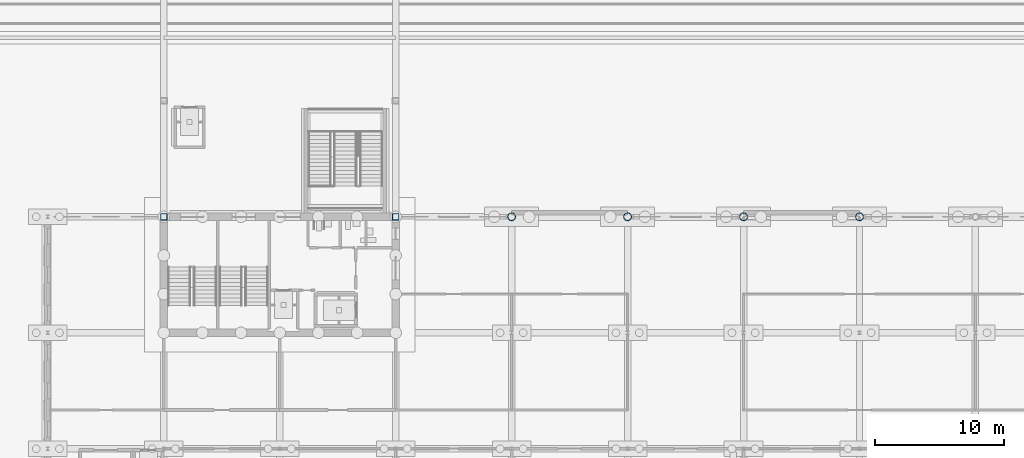
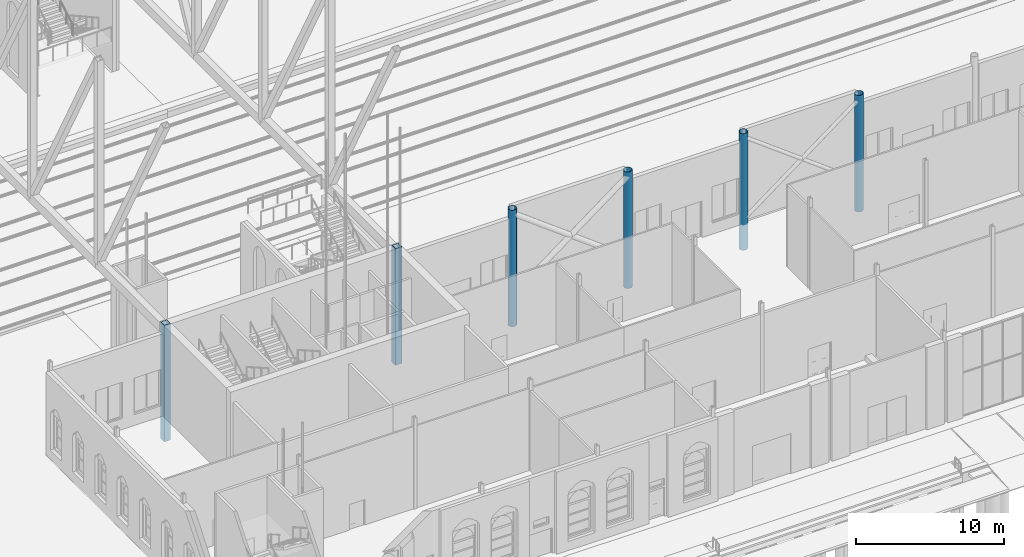
# One storey, part 12 of 250: 6 columns.
"""IFC4 building model written with IfcOpenShell, lengths in metres."""

from ifc_helpers import new_model, si_unit, direction, frame, origin, origin_2d, place, context, subcontext, project, spatial, hollow_rectangle, hollow_circle, extrude, material, material_profile, profile_set, type_object, element, save


model = new_model("IFC4")

# Units and contexts
model_context = context("Model", 3, precision=1e-05, world=origin(), true_north=direction((0.0, 1.0)))
body_context = subcontext(model_context, "Body", "Model", "MODEL_VIEW")
ifc_project = project(units=[si_unit("LENGTHUNIT", "METRE"), si_unit("AREAUNIT", "SQUARE_METRE"), si_unit("VOLUMEUNIT", "CUBIC_METRE"), si_unit("PLANEANGLEUNIT", "RADIAN"), si_unit("MASSUNIT", "GRAM", prefix="KILO")], contexts=[model_context])

# Site, building, storey
site_placement = place(None, origin())
site = spatial("IfcSite", under=ifc_project, at=site_placement, CompositionType="ELEMENT")
building_placement = place(site_placement, origin())
building = spatial("IfcBuilding", under=site, at=building_placement, Name="Baradari Gate Terminus", CompositionType="ELEMENT")
storey_placement = place(building_placement, origin())
storey = spatial("IfcBuildingStorey", under=building, at=storey_placement, Name="L00", CompositionType="ELEMENT", Elevation=0.0)

# Columns
ifc_material_1 = material(Name="Steel S355", Category="steel")
ifc_material_profile_1 = material_profile(ifc_material_1, hollow_rectangle(XDim=0.5, YDim=0.5, WallThickness=0.031982421875, at=origin_2d()), Name="FB 500x500x32")
ifc_profile_set_1 = profile_set([ifc_material_profile_1], Name="Steel S355")
column_type_1 = type_object("IfcColumnType", Name="Abutment end post C06 FB 500x500x32", PredefinedType="COLUMN", material=ifc_profile_set_1)
for number, where, z_axis, x_axis, name in (
    (1, (72.0, 36.0, -2.10009765625), (0.0, 0.0, 1.0), (1.0, 0.0, 0.0), "C06 column 9-E L00"),
    (2, (90.0, 36.0, -2.10009765625), (0.0, 0.0, 1.0), (1.0, 0.0, 0.0), "C06 column 11-E L00"),
):
    element("IfcColumn", number, at=place(storey_placement, frame(where, z_axis=z_axis, x_axis=x_axis)), inside=storey, type_object=column_type_1, Name=name, PredefinedType="COLUMN", context=body_context, shape_type="SweptSolid", body=[
        extrude(hollow_rectangle(XDim=0.5, YDim=0.5, WallThickness=0.031982421875, at=origin_2d()), origin(), (0.0, 0.0, 1.0), 9.60009765625),
    ])
ifc_material_2 = material(Name="Steel S355", Category="steel")
ifc_material_profile_2 = material_profile(ifc_material_2, hollow_circle(Radius=0.304931640625, WallThickness=0.02001953125, at=origin_2d()), Name="CHS 610x20")
ifc_profile_set_2 = profile_set([ifc_material_profile_2], Name="Steel S355")
column_type_2 = type_object("IfcColumnType", Name="Braced shed column C09 CHS 610x20", PredefinedType="COLUMN", material=ifc_profile_set_2)
for number, where, z_axis, x_axis, name in (
    (3, (99.0, 36.0, -2.10009765625), (0.0, 0.0, 1.0), (1.0, 0.0, 0.0), "C09 column 12-E L00"),
    (4, (108.0, 36.0, -2.10009765625), (0.0, 0.0, 1.0), (1.0, 0.0, 0.0), "C09 column 13-E L00"),
    (5, (117.0, 36.0, -2.10009765625), (0.0, 0.0, 1.0), (1.0, 0.0, 0.0), "C09 column 14-E L00"),
    (6, (126.0, 36.0, -2.10009765625), (0.0, 0.0, 1.0), (1.0, 0.0, 0.0), "C09 column 15-E L00"),
):
    element("IfcColumn", number, at=place(storey_placement, frame(where, z_axis=z_axis, x_axis=x_axis)), inside=storey, type_object=column_type_2, Name=name, PredefinedType="COLUMN", context=body_context, shape_type="SweptSolid", body=[
        extrude(hollow_circle(Radius=0.304931640625, WallThickness=0.02001953125, at=origin_2d()), origin(), (0.0, 0.0, 1.0), 9.60009765625),
    ])

save(model, "model.ifc")
